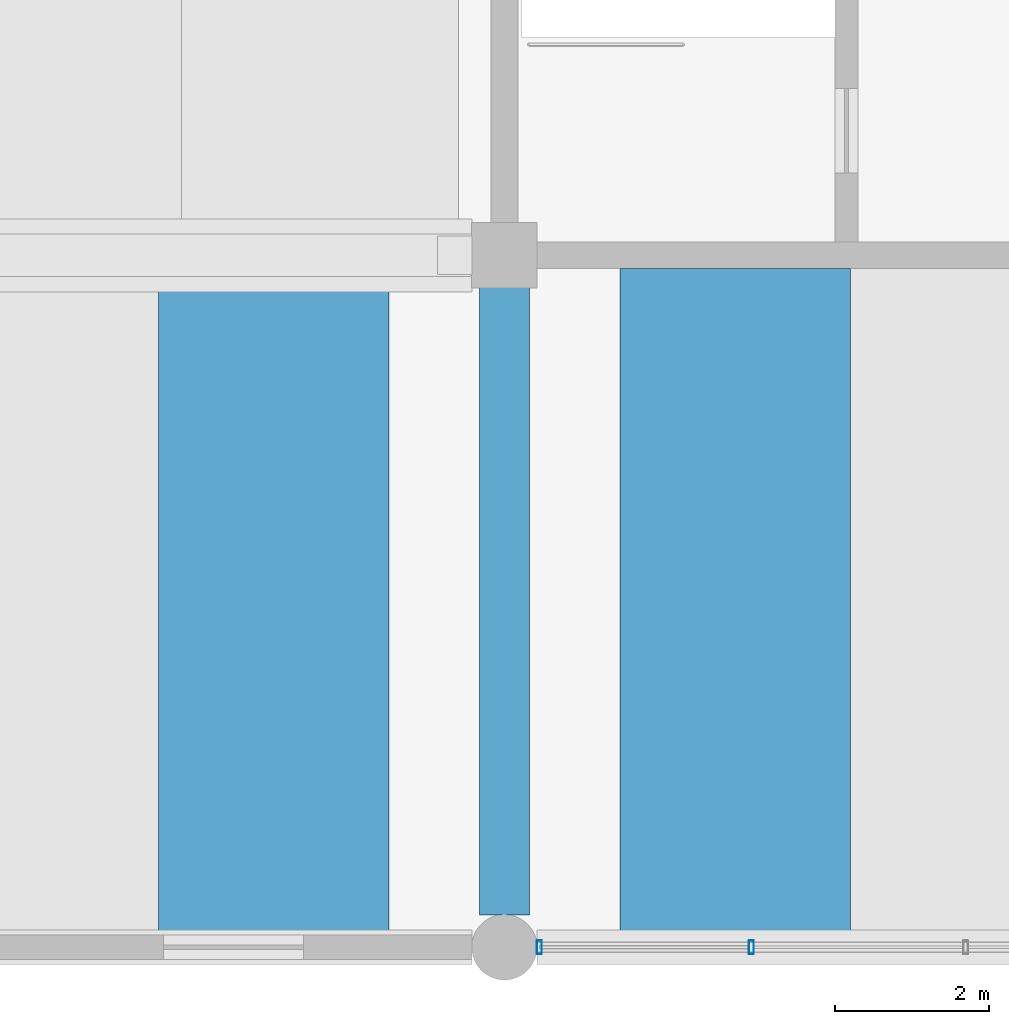
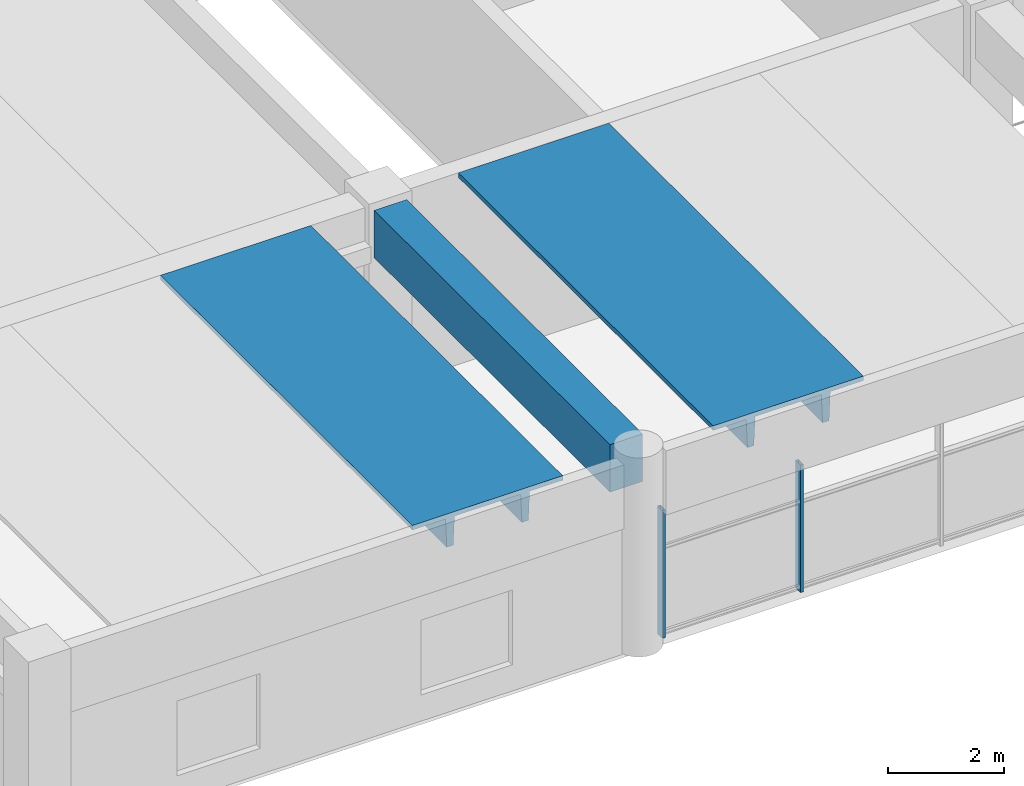
# One storey, part 2 of 50: 3 beams, 2 members, 1 element without a shape of its own.
"""IFC4 building model written with IfcOpenShell, lengths in metres."""

import ifcopenshell
import ifcopenshell.guid

model = None  # the IFC model being written
_history = None  # IfcOwnerHistory: only IFC2X3 demands one
_inside = {}  # id of a spatial element -> (the spatial element, [elements in it])
_under = {}  # id of a project, library or spatial element -> (it, [spatial elements below it])
_declared = {}  # id of a project -> (the project, [libraries it declares])
_typed = {}  # id of a type object -> (the type object, [elements of that type])
_made_of = {}  # id of a material, layer set ... -> (it, [elements and type objects made of it])


def new_model(schema):
    """Start an empty IFC model of exactly this schema.

    Asked for "IFC4X3", IfcOpenShell would pick the latest addendum, in which some entities
    have other attributes; the version numbers below select the first issue.
    IFC2X3 requires an IfcOwnerHistory on every rooted entity: one is made here for all.
    """
    global model, _history
    if schema == "IFC4X3":
        model = ifcopenshell.file(schema_version=(4, 3, 0, 0))
    else:
        model = ifcopenshell.file(schema=schema)
    _inside.clear()
    _under.clear()
    _declared.clear()
    _typed.clear()
    _made_of.clear()
    _history = None
    if model.schema == "IFC2X3":
        org = make("IfcOrganization", Name="unknown")
        user = make(
            "IfcPersonAndOrganization",
            ThePerson=make("IfcPerson", FamilyName="unknown"),
            TheOrganization=org,
        )
        app = make(
            "IfcApplication",
            ApplicationDeveloper=org,
            Version="unknown",
            ApplicationFullName="unknown",
            ApplicationIdentifier="unknown",
        )
        _history = make(
            "IfcOwnerHistory",
            OwningUser=user,
            OwningApplication=app,
            ChangeAction="ADDED",
            CreationDate=0,
        )
    return model


def make(cls, **values):
    """One entity of the class cls with the attributes given. An attribute that is None is left unset."""
    return model.create_entity(
        cls, **{name: value for name, value in values.items() if value is not None}
    )


def rooted(cls, **values):
    """An entity with a GlobalId (a new one), such as an element, a storey or a relation."""
    return make(cls, GlobalId=ifcopenshell.guid.new(), OwnerHistory=_history, **values)


def si_unit(unit_type, name, prefix=None):
    """IfcSIUnit, for example si_unit("LENGTHUNIT", "METRE", prefix="MILLI")."""
    return make("IfcSIUnit", UnitType=unit_type, Prefix=prefix, Name=name)


def assignment(units):
    """IfcUnitAssignment: the units of a project."""
    return None if units is None else make("IfcUnitAssignment", Units=units)


def point(xyz):
    """IfcCartesianPoint."""
    return None if xyz is None else make("IfcCartesianPoint", Coordinates=xyz)


def direction(xyz):
    """IfcDirection."""
    return None if xyz is None else make("IfcDirection", DirectionRatios=xyz)


def frame(location, z_axis=None, x_axis=None):
    """IfcAxis2Placement3D, a coordinate frame: its origin and axes. An axis left out is left unset."""
    return make(
        "IfcAxis2Placement3D",
        Location=point(location),
        Axis=direction(z_axis),
        RefDirection=direction(x_axis),
    )


def frame_2d(location, x_axis=None):
    """IfcAxis2Placement2D, a coordinate frame in the plane: its origin and x axis."""
    return make(
        "IfcAxis2Placement2D", Location=point(location), RefDirection=direction(x_axis)
    )


def origin():
    """The frame at (0, 0, 0) with its axes left unset."""
    return frame((0.0, 0.0, 0.0))


def origin_2d():
    """The frame at (0, 0) in the plane with its x axis left unset."""
    return frame_2d((0.0, 0.0))


def place(relative_to, where):
    """IfcLocalPlacement: puts the frame where relative to a parent placement (None: the world)."""
    return make(
        "IfcLocalPlacement", PlacementRelTo=relative_to, RelativePlacement=where
    )


def context(
    kind, dimensions, precision=None, world=None, true_north=None, identifier=None
):
    """IfcGeometricRepresentationContext, for example the 3D "Model" context."""
    return make(
        "IfcGeometricRepresentationContext",
        ContextIdentifier=identifier,
        ContextType=kind,
        CoordinateSpaceDimension=dimensions,
        Precision=precision,
        WorldCoordinateSystem=world,
        TrueNorth=true_north,
    )


def subcontext(parent, identifier, kind, view, scale=None):
    """IfcGeometricRepresentationSubContext, for example "Body" below "Model"."""
    return make(
        "IfcGeometricRepresentationSubContext",
        ContextIdentifier=identifier,
        ContextType=kind,
        ParentContext=parent,
        TargetScale=scale,
        TargetView=view,
    )


def project(units=None, contexts=None):
    """IfcProject with its units and contexts."""
    return rooted(
        "IfcProject",
        Name="project",
        RepresentationContexts=contexts,
        UnitsInContext=assignment(units),
    )


def spatial(cls, under=None, at=None, **own):
    """A site, building, storey or space (cls), placed at a placement, below another one or the project."""
    s = rooted(cls, ObjectPlacement=at, **own)
    if under is not None:
        _under.setdefault(under.id(), (under, []))[1].append(s)
    return s


def polyline(points):
    """IfcPolyline through the points."""
    return make("IfcPolyline", Points=[point(p) for p in points])


def profile(cls, at=None, kind="AREA", **sizes):
    """A parametric profile (cls). Its sizes go by their IFC names, for example OverallWidth=200.0."""
    return make(cls, ProfileType=kind, Position=at, **sizes)


def rectangle(**sizes):
    """IfcRectangleProfileDef."""
    return profile("IfcRectangleProfileDef", **sizes)


def hollow_rectangle(**sizes):
    """IfcRectangleHollowProfileDef."""
    return profile("IfcRectangleHollowProfileDef", **sizes)


def outline(outer, holes=None, kind="AREA"):
    """IfcArbitraryClosedProfileDef: a profile drawn as a closed curve; with holes, ...WithVoids."""
    if holes is None:
        return make("IfcArbitraryClosedProfileDef", ProfileType=kind, OuterCurve=outer)
    return make(
        "IfcArbitraryProfileDefWithVoids",
        ProfileType=kind,
        OuterCurve=outer,
        InnerCurves=holes,
    )


def extrude(swept, where, along, depth):
    """IfcExtrudedAreaSolid: the profile swept, set in the frame where, extruded along a direction by depth."""
    return make(
        "IfcExtrudedAreaSolid",
        SweptArea=swept,
        Position=where,
        ExtrudedDirection=direction(along),
        Depth=depth,
    )


def shape(context_of_items, identifier, shape_type, items):
    """IfcShapeRepresentation: the items that make up one representation, for example the "Body"."""
    return make(
        "IfcShapeRepresentation",
        ContextOfItems=context_of_items,
        RepresentationIdentifier=identifier,
        RepresentationType=shape_type,
        Items=items,
    )


def material(Name=None, Category=None):
    """IfcMaterial."""
    return make("IfcMaterial", Name=Name, Category=Category)


def material_profile(
    of_material, cross_section, Name=None, Category=None, Priority=None
):
    """IfcMaterialProfile: a cross section and its material."""
    return make(
        "IfcMaterialProfile",
        Name=Name,
        Material=of_material,
        Profile=cross_section,
        Priority=Priority,
        Category=Category,
    )


def profile_set(profiles, Name=None, composite=None):
    """IfcMaterialProfileSet."""
    return make(
        "IfcMaterialProfileSet",
        Name=Name,
        MaterialProfiles=profiles,
        CompositeProfile=composite,
    )


def made_of(thing, what):
    """Note that an element or type object is made of a material, layer set ...; save() writes the relation."""
    if what is not None:
        _made_of.setdefault(what.id(), (what, []))[1].append(thing)
    return thing


def type_object(cls, material=None, **own):
    """A type object (cls), such as IfcWallType, which elements share."""
    return made_of(rooted(cls, **own), material)


def element(
    cls,
    number,
    at=None,
    inside=None,
    cuts=None,
    type_object=None,
    material=None,
    context=None,
    identifier="Body",
    shape_type=None,
    held_by="IfcProductDefinitionShape",
    body=None,
    shapes=None,
    **own,
):
    """One element of the class cls, such as IfcWall. Its Tag is "e" and its number.

    at: its placement. inside: the storey or other place that contains it. cuts: it is an
    opening in that element (IfcRelVoidsElement). A single representation is given by context,
    identifier, shape_type and body (its items); several are given by shapes. held_by: the class
    of the entity that holds the representations. save() writes the other relations.
    """
    e = rooted(cls, Tag="e%d" % number, ObjectPlacement=at, **own)
    if body is not None:
        shapes = [shape(context, identifier, shape_type, body)]
    if shapes is not None:
        e.Representation = make(held_by, Representations=shapes)
    if inside is not None:
        _inside.setdefault(inside.id(), (inside, []))[1].append(e)
    if cuts is not None:
        rooted(
            "IfcRelVoidsElement", RelatingBuildingElement=cuts, RelatedOpeningElement=e
        )
    if type_object is not None:
        _typed.setdefault(type_object.id(), (type_object, []))[1].append(e)
    return made_of(e, material)


def aggregate(whole, parts):
    """IfcRelAggregates: a whole, such as a stair, and the parts it consists of."""
    return rooted("IfcRelAggregates", RelatingObject=whole, RelatedObjects=parts)


def save(model, path):
    """Write the relations noted so far, then the file.

    IfcRelAggregates (storeys below a building ...), IfcRelContainedInSpatialStructure (elements
    in a storey), IfcRelDefinesByType, IfcRelAssociatesMaterial and IfcRelDeclares: one each for
    every whole, place, type object, material and project.
    """
    for whole, parts in _under.values():
        aggregate(whole, parts)
    for where, things in _inside.values():
        rooted(
            "IfcRelContainedInSpatialStructure",
            RelatedElements=things,
            RelatingStructure=where,
        )
    for kind, things in _typed.values():
        rooted("IfcRelDefinesByType", RelatedObjects=things, RelatingType=kind)
    for what, things in _made_of.values():
        rooted("IfcRelAssociatesMaterial", RelatedObjects=things, RelatingMaterial=what)
    for by, libraries in _declared.values():
        rooted("IfcRelDeclares", RelatingContext=by, RelatedDefinitions=libraries)
    model.write(path)


model = new_model("IFC4")

# Units and contexts
model_context = context("Model", 3, precision=1e-05, world=origin(), true_north=direction((0.0, 1.0)))
body_context = subcontext(model_context, "Body", "Model", "MODEL_VIEW")
ifc_project = project(units=[si_unit("LENGTHUNIT", "METRE"), si_unit("AREAUNIT", "SQUARE_METRE"), si_unit("VOLUMEUNIT", "CUBIC_METRE"), si_unit("PLANEANGLEUNIT", "RADIAN"), si_unit("MASSUNIT", "GRAM", prefix="KILO")], contexts=[model_context])

# Site, building, storey
site_placement = place(None, origin())
site = spatial("IfcSite", under=ifc_project, at=site_placement, CompositionType="ELEMENT")
building_placement = place(site_placement, origin())
building = spatial("IfcBuilding", under=site, at=building_placement, Name="Girod Span Mobility Hub", CompositionType="ELEMENT")
storey_placement = place(building_placement, frame((0.0, 0.0, 5.39990234375)))
storey = spatial("IfcBuildingStorey", under=building, at=storey_placement, Name="L01", CompositionType="ELEMENT", Elevation=5.39990234375)

# Beams
ifc_material_1 = material(Name="Concrete C50/60", Category="concrete")
ifc_material_profile_1 = material_profile(ifc_material_1, outline(polyline([(-1.5, 0.35009765625), (-1.5, 0.2548828125), (-0.840087890625, 0.2548828125), (-0.81494140625, -0.35009765625), (-0.68505859375, -0.35009765625), (-0.659912109375, 0.2548828125), (0.659912109375, 0.2548828125), (0.68505859375, -0.35009765625), (0.81494140625, -0.35009765625), (0.840087890625, 0.2548828125), (1.5, 0.2548828125), (1.5, 0.35009765625), (-1.5, 0.35009765625)])), Name="DT-3000X700")
ifc_profile_set_1 = profile_set([ifc_material_profile_1], Name="Concrete C50/60")
beam_type_1 = type_object("IfcBeamType", Name="BM-DT-3000X700", PredefinedType="JOIST", material=ifc_profile_set_1)
beam_1_placement = place(storey_placement, frame((9.0, 0.02197265625, 3.690185546875), z_axis=(0.0, 1.0, 0.0), x_axis=(-1.0, 0.0, 0.0)))
element("IfcBeam", 1, at=beam_1_placement, inside=storey, type_object=beam_type_1, Name="Double-Tee Deck 1/A-3 L01", PredefinedType="JOIST", context=body_context, shape_type="SweptSolid", body=[
    extrude(outline(polyline([(-1.5, 0.35009765625), (-1.5, 0.2548828125), (-0.840087890625, 0.2548828125), (-0.81494140625, -0.35009765625), (-0.68505859375, -0.35009765625), (-0.659912109375, 0.2548828125), (0.659912109375, 0.2548828125), (0.68505859375, -0.35009765625), (0.81494140625, -0.35009765625), (0.840087890625, 0.2548828125), (1.5, 0.2548828125), (1.5, 0.35009765625), (-1.5, 0.35009765625)])), origin(), (0.0, 0.0, 1.0), 8.7060546875),
])
beam_2_placement = place(storey_placement, frame((15.0, 0.02197265625, 3.690185546875), z_axis=(0.0, 1.0, 0.0), x_axis=(-1.0, 0.0, 0.0)))
element("IfcBeam", 2, at=beam_2_placement, inside=storey, type_object=beam_type_1, Name="Double-Tee Deck 2/A-1 L01", PredefinedType="JOIST", context=body_context, shape_type="SweptSolid", body=[
    extrude(outline(polyline([(-1.5, 0.35009765625), (-1.5, 0.2548828125), (-0.840087890625, 0.2548828125), (-0.81494140625, -0.35009765625), (-0.68505859375, -0.35009765625), (-0.659912109375, 0.2548828125), (0.659912109375, 0.2548828125), (0.68505859375, -0.35009765625), (0.81494140625, -0.35009765625), (0.840087890625, 0.2548828125), (1.5, 0.2548828125), (1.5, 0.35009765625), (-1.5, 0.35009765625)])), origin(), (0.0, 0.0, 1.0), 8.805908203125),
])
ifc_material_2 = material(Name="Concrete C40/50", Category="concrete")
ifc_material_profile_2 = material_profile(ifc_material_2, rectangle(XDim=0.64990234375, YDim=1.0, at=origin_2d()), Name="TG-650X1000")
ifc_profile_set_2 = profile_set([ifc_material_profile_2], Name="Concrete C40/50")
beam_type_2 = type_object("IfcBeamType", Name="BM-TG-650X1000", PredefinedType="T_BEAM", material=ifc_profile_set_2)
beam_3_placement = place(storey_placement, frame((12.0, 0.422119140625, 3.5400390625), z_axis=(0.0, 1.0, 0.0), x_axis=(-1.0, 0.0, 0.0)))
element("IfcBeam", 3, at=beam_3_placement, inside=storey, type_object=beam_type_2, Name="Tie Girder 2/A-B L01", PredefinedType="T_BEAM", context=body_context, shape_type="SweptSolid", body=[
    extrude(rectangle(XDim=0.64990234375, YDim=1.0, at=origin_2d()), origin(), (0.0, 0.0, 1.0), 8.15576171875),
])

# Curtain wall, members
ifc_material_3 = material(Name="Thermally Broken Anodised Aluminium", Category="aluminium")
curtain_wall_type = type_object("IfcCurtainWallType", Name="CW-1115X269", PredefinedType="USERDEFINED", material=ifc_material_3)
curtain_wall_placement = place(storey_placement, origin())
curtain_wall = element("IfcCurtainWall", 4, at=curtain_wall_placement, inside=storey, type_object=curtain_wall_type, Name="Concourse Storefront CW-L01-S02 L01", ObjectType="CONCOURSE STOREFRONT", PredefinedType="USERDEFINED")
ifc_material_4 = material(Name="Thermally Broken Anodised Aluminium", Category="aluminium")
ifc_material_profile_3 = material_profile(ifc_material_4, hollow_rectangle(XDim=0.179931640625, YDim=0.06494140625, WallThickness=0.00390625, InnerFilletRadius=0.00390625, OuterFilletRadius=0.008056640625, at=origin_2d()), Name="CW-ML-65X180")
ifc_profile_set_3 = profile_set([ifc_material_profile_3], Name="Thermally Broken Anodised Aluminium")
member_type = type_object("IfcMemberType", Name="CWM-ML-2", PredefinedType="MULLION", material=ifc_profile_set_3)
member_1_placement = place(storey_placement, frame((12.455078125, 0.0, 0.0), z_axis=(0.0, 0.0, 1.0), x_axis=(0.0, 1.0, 0.0)))
member_1 = element("IfcMember", 5, at=member_1_placement, type_object=member_type, Name="Curtain Wall Mullion CW-L01-S02-M0", PredefinedType="MULLION", context=body_context, shape_type="SweptSolid", body=[
    extrude(hollow_rectangle(XDim=0.179931640625, YDim=0.06494140625, WallThickness=0.00390625, InnerFilletRadius=0.00390625, OuterFilletRadius=0.008056640625, at=origin_2d()), origin(), (0.0, 0.0, 1.0), 2.690185546875),
])
member_2_placement = place(storey_placement, frame((15.21142578125, 0.0, 0.0), z_axis=(0.0, 0.0, 1.0), x_axis=(0.0, 1.0, 0.0)))
member_2 = element("IfcMember", 6, at=member_2_placement, type_object=member_type, Name="Curtain Wall Mullion CW-L01-S02-M1", PredefinedType="MULLION", context=body_context, shape_type="SweptSolid", body=[
    extrude(hollow_rectangle(XDim=0.179931640625, YDim=0.06494140625, WallThickness=0.00390625, InnerFilletRadius=0.00390625, OuterFilletRadius=0.008056640625, at=origin_2d()), origin(), (0.0, 0.0, 1.0), 2.690185546875),
])
aggregate(curtain_wall, [member_1, member_2])

save(model, "model.ifc")
